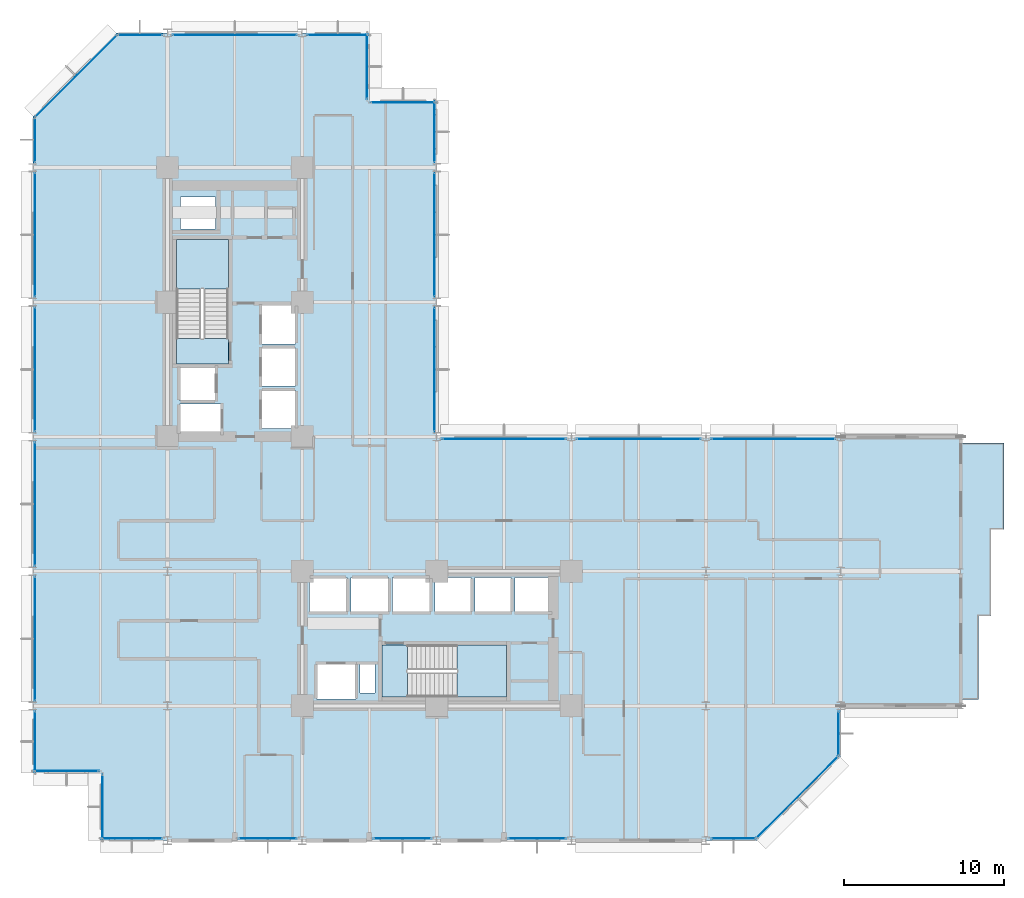
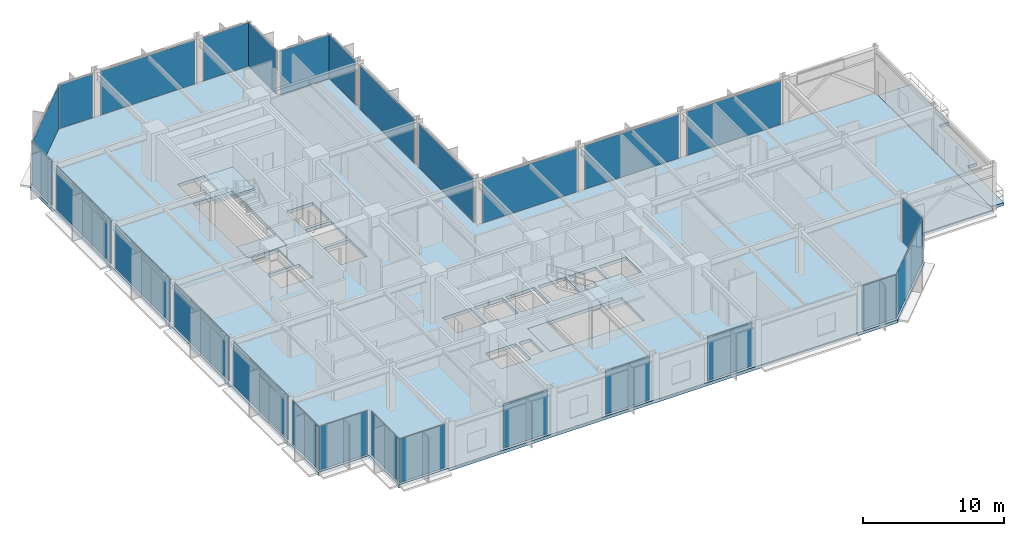
# One storey, part 21 of 30: 27 plates, 6 slabs, 29 elements without a shape of their own.
"""IFC4 building model written with IfcOpenShell, lengths in metres."""

from ifc_helpers import new_model, si_unit, direction, frame, origin, origin_2d, place, context, subcontext, project, spatial, polyline, rectangle, outline, extrude, material, layer, layer_set, type_object, element, aggregate, save


model = new_model("IFC4")

# Units and contexts
model_context = context("Model", 3, precision=1e-05, world=origin(), true_north=direction((0.0, 1.0)))
body_context = subcontext(model_context, "Body", "Model", "MODEL_VIEW")
ifc_project = project(units=[si_unit("LENGTHUNIT", "METRE"), si_unit("AREAUNIT", "SQUARE_METRE"), si_unit("VOLUMEUNIT", "CUBIC_METRE"), si_unit("PLANEANGLEUNIT", "RADIAN"), si_unit("MASSUNIT", "GRAM", prefix="KILO")], contexts=[model_context])

# Site, building, storey
site_placement = place(None, origin())
site = spatial("IfcSite", under=ifc_project, at=site_placement, CompositionType="ELEMENT")
building_placement = place(site_placement, origin())
building = spatial("IfcBuilding", under=site, at=building_placement, Name="Nerrivon Quay Data Exchange", CompositionType="ELEMENT")
storey_placement = place(building_placement, frame((0.0, 0.0, 62.60009765625)))
storey = spatial("IfcBuildingStorey", under=building, at=storey_placement, Name="L14", CompositionType="ELEMENT", Elevation=62.60009765625)

# Curtain wall, plate
ifc_material_1 = material(Name="Anodised aluminium 6063-T6", Category="aluminium")
ifc_layer_1 = layer(ifc_material_1, 0.219970703125)
ifc_layer_set_1 = layer_set([ifc_layer_1], Name="Anodised aluminium 6063-T6")
curtain_wall_type = type_object("IfcCurtainWallType", Name="CW-SYS-01", PredefinedType="NOTDEFINED", material=ifc_layer_set_1)
curtain_wall_1_placement = place(storey_placement, origin())
curtain_wall_1 = element("IfcCurtainWall", 1, at=curtain_wall_1_placement, inside=storey, type_object=curtain_wall_type, Name="L14 Unitised Curtain Wall 4", PredefinedType="NOTDEFINED")
ifc_material_2 = material(Name="Double-glazed low-E solar control glass", Category="glass")
ifc_layer_2 = layer(ifc_material_2, 0.028076171875)
ifc_layer_set_2 = layer_set([ifc_layer_2], Name="Double-glazed low-E solar control glass")
plate_type = type_object("IfcPlateType", Name="CWP-GLZ-28", PredefinedType="CURTAIN_PANEL", material=ifc_layer_set_2)
plate_1_placement = place(storey_placement, frame((50.260009765625, 6.675048828125, 0.06494140625), z_axis=(0.0, 0.0, 1.0), x_axis=(0.0, -1.0, 0.0)))
plate_1 = element("IfcPlate", 2, at=plate_1_placement, type_object=plate_type, Name="CW01 panel 1.1", PredefinedType="CURTAIN_PANEL", context=body_context, shape_type="SweptSolid", body=[
    extrude(rectangle(XDim=2.800048828125, YDim=0.028076171875, at=origin_2d()), origin(), (0.0, 0.0, 1.0), 3.794921875),
])
aggregate(curtain_wall_1, [plate_1])

curtain_wall_2_placement = place(storey_placement, origin())
curtain_wall_2 = element("IfcCurtainWall", 3, at=curtain_wall_2_placement, inside=storey, type_object=curtain_wall_type, Name="L14 Unitised Curtain Wall 5", PredefinedType="NOTDEFINED")
plate_2_placement = place(storey_placement, frame((47.700927734375, 2.698974609375, 0.06494140625), z_axis=(0.0, 0.0, 1.0), x_axis=(-0.707106781187, -0.707106781187, 0.0)))
plate_2 = element("IfcPlate", 4, at=plate_2_placement, type_object=plate_type, Name="CW01 panel 1.1", PredefinedType="CURTAIN_PANEL", context=body_context, shape_type="SweptSolid", body=[
    extrude(rectangle(XDim=7.203857421875, YDim=0.028076171875, at=origin_2d()), origin(), (0.0, 0.0, 1.0), 3.794921875),
])
aggregate(curtain_wall_2, [plate_2])

curtain_wall_3_placement = place(storey_placement, origin())
curtain_wall_3 = element("IfcCurtainWall", 5, at=curtain_wall_3_placement, inside=storey, type_object=curtain_wall_type, Name="L14 Unitised Curtain Wall 6", PredefinedType="NOTDEFINED")
plate_3_placement = place(storey_placement, frame((43.72509765625, 0.139892578125, 0.06494140625), z_axis=(0.0, 0.0, 1.0), x_axis=(-1.0, 0.0, 0.0)))
plate_3 = element("IfcPlate", 6, at=plate_3_placement, type_object=plate_type, Name="CW01 panel 1.1", PredefinedType="CURTAIN_PANEL", context=body_context, shape_type="SweptSolid", body=[
    extrude(rectangle(XDim=2.800048828125, YDim=0.028076171875, at=origin_2d()), origin(), (0.0, 0.0, 1.0), 3.794921875),
])
aggregate(curtain_wall_3, [plate_3])

curtain_wall_4_placement = place(storey_placement, origin())
curtain_wall_4 = element("IfcCurtainWall", 7, at=curtain_wall_4_placement, inside=storey, type_object=curtain_wall_type, Name="L14 Unitised Curtain Wall 8", PredefinedType="NOTDEFINED")
plate_4_placement = place(storey_placement, frame((31.46240234375, 0.139892578125, 0.06494140625), z_axis=(0.0, 0.0, 1.0), x_axis=(-1.0, 0.0, 0.0)))
plate_4 = element("IfcPlate", 8, at=plate_4_placement, type_object=plate_type, Name="CW01 panel 1.1", PredefinedType="CURTAIN_PANEL", context=body_context, shape_type="SweptSolid", body=[
    extrude(rectangle(XDim=3.625, YDim=0.028076171875, at=origin_2d()), origin(), (0.0, 0.0, 1.0), 3.794921875),
])
aggregate(curtain_wall_4, [plate_4])

curtain_wall_5_placement = place(storey_placement, origin())
curtain_wall_5 = element("IfcCurtainWall", 9, at=curtain_wall_5_placement, inside=storey, type_object=curtain_wall_type, Name="L14 Unitised Curtain Wall 10", PredefinedType="NOTDEFINED")
plate_5_placement = place(storey_placement, frame((23.0625, 0.139892578125, 0.06494140625), z_axis=(0.0, 0.0, 1.0), x_axis=(-1.0, 0.0, 0.0)))
plate_5 = element("IfcPlate", 10, at=plate_5_placement, type_object=plate_type, Name="CW01 panel 1.1", PredefinedType="CURTAIN_PANEL", context=body_context, shape_type="SweptSolid", body=[
    extrude(rectangle(XDim=3.625, YDim=0.028076171875, at=origin_2d()), origin(), (0.0, 0.0, 1.0), 3.794921875),
])
aggregate(curtain_wall_5, [plate_5])

curtain_wall_6_placement = place(storey_placement, origin())
curtain_wall_6 = element("IfcCurtainWall", 11, at=curtain_wall_6_placement, inside=storey, type_object=curtain_wall_type, Name="L14 Unitised Curtain Wall 12", PredefinedType="NOTDEFINED")
plate_6_placement = place(storey_placement, frame((14.66259765625, 0.139892578125, 0.06494140625), z_axis=(0.0, 0.0, 1.0), x_axis=(-1.0, 0.0, 0.0)))
plate_6 = element("IfcPlate", 12, at=plate_6_placement, type_object=plate_type, Name="CW01 panel 1.1", PredefinedType="CURTAIN_PANEL", context=body_context, shape_type="SweptSolid", body=[
    extrude(rectangle(XDim=3.625, YDim=0.028076171875, at=origin_2d()), origin(), (0.0, 0.0, 1.0), 3.794921875),
])
aggregate(curtain_wall_6, [plate_6])

curtain_wall_7_placement = place(storey_placement, origin())
curtain_wall_7 = element("IfcCurtainWall", 13, at=curtain_wall_7_placement, inside=storey, type_object=curtain_wall_type, Name="L14 Unitised Curtain Wall 14", PredefinedType="NOTDEFINED")
plate_7_placement = place(storey_placement, frame((6.175048828125, 0.139892578125, 0.06494140625), z_axis=(0.0, 0.0, 1.0), x_axis=(-1.0, 0.0, 0.0)))
plate_7 = element("IfcPlate", 14, at=plate_7_placement, type_object=plate_type, Name="CW01 panel 1.1", PredefinedType="CURTAIN_PANEL", context=body_context, shape_type="SweptSolid", body=[
    extrude(rectangle(XDim=3.800048828125, YDim=0.028076171875, at=origin_2d()), origin(), (0.0, 0.0, 1.0), 3.794921875),
])
aggregate(curtain_wall_7, [plate_7])

curtain_wall_8_placement = place(storey_placement, origin())
curtain_wall_8 = element("IfcCurtainWall", 15, at=curtain_wall_8_placement, inside=storey, type_object=curtain_wall_type, Name="L14 Unitised Curtain Wall 15", PredefinedType="NOTDEFINED")
plate_8_placement = place(storey_placement, frame((4.340087890625, 2.10009765625, 0.06494140625), z_axis=(0.0, 0.0, 1.0), x_axis=(0.0, 1.0, 0.0)))
plate_8 = element("IfcPlate", 16, at=plate_8_placement, type_object=plate_type, Name="CW01 panel 1.1", PredefinedType="CURTAIN_PANEL", context=body_context, shape_type="SweptSolid", body=[
    extrude(rectangle(XDim=4.050048828125, YDim=0.028076171875, at=origin_2d()), origin(), (0.0, 0.0, 1.0), 3.794921875),
])
aggregate(curtain_wall_8, [plate_8])

curtain_wall_9_placement = place(storey_placement, origin())
curtain_wall_9 = element("IfcCurtainWall", 17, at=curtain_wall_9_placement, inside=storey, type_object=curtain_wall_type, Name="L14 Unitised Curtain Wall 16", PredefinedType="NOTDEFINED")
plate_9_placement = place(storey_placement, frame((2.10009765625, 4.340087890625, 0.06494140625), z_axis=(0.0, 0.0, 1.0), x_axis=(-1.0, 0.0, 0.0)))
plate_9 = element("IfcPlate", 18, at=plate_9_placement, type_object=plate_type, Name="CW01 panel 1.1", PredefinedType="CURTAIN_PANEL", context=body_context, shape_type="SweptSolid", body=[
    extrude(rectangle(XDim=4.050048828125, YDim=0.028076171875, at=origin_2d()), origin(), (0.0, 0.0, 1.0), 3.794921875),
])
aggregate(curtain_wall_9, [plate_9])

curtain_wall_10_placement = place(storey_placement, origin())
curtain_wall_10 = element("IfcCurtainWall", 19, at=curtain_wall_10_placement, inside=storey, type_object=curtain_wall_type, Name="L14 Unitised Curtain Wall 17", PredefinedType="NOTDEFINED")
plate_10_placement = place(storey_placement, frame((0.139892578125, 6.175048828125, 0.06494140625), z_axis=(0.0, 0.0, 1.0), x_axis=(0.0, 1.0, 0.0)))
plate_10 = element("IfcPlate", 20, at=plate_10_placement, type_object=plate_type, Name="CW01 panel 1.1", PredefinedType="CURTAIN_PANEL", context=body_context, shape_type="SweptSolid", body=[
    extrude(rectangle(XDim=3.800048828125, YDim=0.028076171875, at=origin_2d()), origin(), (0.0, 0.0, 1.0), 3.794921875),
])
aggregate(curtain_wall_10, [plate_10])

curtain_wall_11_placement = place(storey_placement, origin())
curtain_wall_11 = element("IfcCurtainWall", 21, at=curtain_wall_11_placement, inside=storey, type_object=curtain_wall_type, Name="L14 Unitised Curtain Wall 18", PredefinedType="NOTDEFINED")
plate_11_placement = place(storey_placement, frame((0.139892578125, 12.60009765625, 0.06494140625), z_axis=(0.0, 0.0, 1.0), x_axis=(0.0, 1.0, 0.0)))
plate_11 = element("IfcPlate", 22, at=plate_11_placement, type_object=plate_type, Name="CW01 panel 1.1", PredefinedType="CURTAIN_PANEL", context=body_context, shape_type="SweptSolid", body=[
    extrude(rectangle(XDim=7.75, YDim=0.028076171875, at=origin_2d()), origin(), (0.0, 0.0, 1.0), 3.794921875),
])
aggregate(curtain_wall_11, [plate_11])

curtain_wall_12_placement = place(storey_placement, origin())
curtain_wall_12 = element("IfcCurtainWall", 23, at=curtain_wall_12_placement, inside=storey, type_object=curtain_wall_type, Name="L14 Unitised Curtain Wall 19", PredefinedType="NOTDEFINED")
plate_12_placement = place(storey_placement, frame((0.139892578125, 21.0, 0.06494140625), z_axis=(0.0, 0.0, 1.0), x_axis=(0.0, 1.0, 0.0)))
plate_12 = element("IfcPlate", 24, at=plate_12_placement, type_object=plate_type, Name="CW01 panel 1.1", PredefinedType="CURTAIN_PANEL", context=body_context, shape_type="SweptSolid", body=[
    extrude(rectangle(XDim=7.75, YDim=0.028076171875, at=origin_2d()), origin(), (0.0, 0.0, 1.0), 3.794921875),
])
aggregate(curtain_wall_12, [plate_12])

curtain_wall_13_placement = place(storey_placement, origin())
curtain_wall_13 = element("IfcCurtainWall", 25, at=curtain_wall_13_placement, inside=storey, type_object=curtain_wall_type, Name="L14 Unitised Curtain Wall 20", PredefinedType="NOTDEFINED")
plate_13_placement = place(storey_placement, frame((0.139892578125, 29.39990234375, 0.06494140625), z_axis=(0.0, 0.0, 1.0), x_axis=(0.0, 1.0, 0.0)))
plate_13 = element("IfcPlate", 26, at=plate_13_placement, type_object=plate_type, Name="CW01 panel 1.1", PredefinedType="CURTAIN_PANEL", context=body_context, shape_type="SweptSolid", body=[
    extrude(rectangle(XDim=7.75, YDim=0.028076171875, at=origin_2d()), origin(), (0.0, 0.0, 1.0), 3.794921875),
])
aggregate(curtain_wall_13, [plate_13])

curtain_wall_14_placement = place(storey_placement, origin())
curtain_wall_14 = element("IfcCurtainWall", 27, at=curtain_wall_14_placement, inside=storey, type_object=curtain_wall_type, Name="L14 Unitised Curtain Wall 21", PredefinedType="NOTDEFINED")
plate_14_placement = place(storey_placement, frame((0.139892578125, 37.800048828125, 0.06494140625), z_axis=(0.0, 0.0, 1.0), x_axis=(0.0, 1.0, 0.0)))
plate_14 = element("IfcPlate", 28, at=plate_14_placement, type_object=plate_type, Name="CW01 panel 1.1", PredefinedType="CURTAIN_PANEL", context=body_context, shape_type="SweptSolid", body=[
    extrude(rectangle(XDim=7.75, YDim=0.028076171875, at=origin_2d()), origin(), (0.0, 0.0, 1.0), 3.794921875),
])
aggregate(curtain_wall_14, [plate_14])

curtain_wall_15_placement = place(storey_placement, origin())
curtain_wall_15 = element("IfcCurtainWall", 29, at=curtain_wall_15_placement, inside=storey, type_object=curtain_wall_type, Name="L14 Unitised Curtain Wall 22", PredefinedType="NOTDEFINED")
plate_15_placement = place(storey_placement, frame((0.139892578125, 43.72509765625, 0.06494140625), z_axis=(0.0, 0.0, 1.0), x_axis=(0.0, 1.0, 0.0)))
plate_15 = element("IfcPlate", 30, at=plate_15_placement, type_object=plate_type, Name="CW01 panel 1.1", PredefinedType="CURTAIN_PANEL", context=body_context, shape_type="SweptSolid", body=[
    extrude(rectangle(XDim=2.800048828125, YDim=0.028076171875, at=origin_2d()), origin(), (0.0, 0.0, 1.0), 3.794921875),
])
aggregate(curtain_wall_15, [plate_15])

curtain_wall_16_placement = place(storey_placement, origin())
curtain_wall_16 = element("IfcCurtainWall", 31, at=curtain_wall_16_placement, inside=storey, type_object=curtain_wall_type, Name="L14 Unitised Curtain Wall 23", PredefinedType="NOTDEFINED")
plate_16_placement = place(storey_placement, frame((2.698974609375, 47.700927734375, 0.06494140625), z_axis=(0.0, 0.0, 1.0), x_axis=(0.707106781187, 0.707106781187, 0.0)))
plate_16 = element("IfcPlate", 32, at=plate_16_placement, type_object=plate_type, Name="CW01 panel 1.1", PredefinedType="CURTAIN_PANEL", context=body_context, shape_type="SweptSolid", body=[
    extrude(rectangle(XDim=7.203857421875, YDim=0.028076171875, at=origin_2d()), origin(), (0.0, 0.0, 1.0), 3.794921875),
])
aggregate(curtain_wall_16, [plate_16])

curtain_wall_17_placement = place(storey_placement, origin())
curtain_wall_17 = element("IfcCurtainWall", 33, at=curtain_wall_17_placement, inside=storey, type_object=curtain_wall_type, Name="L14 Unitised Curtain Wall 24", PredefinedType="NOTDEFINED")
plate_17_placement = place(storey_placement, frame((6.675048828125, 50.260009765625, 0.06494140625), z_axis=(0.0, 0.0, 1.0), x_axis=(1.0, 0.0, 0.0)))
plate_17 = element("IfcPlate", 34, at=plate_17_placement, type_object=plate_type, Name="CW01 panel 1.1", PredefinedType="CURTAIN_PANEL", context=body_context, shape_type="SweptSolid", body=[
    extrude(rectangle(XDim=2.800048828125, YDim=0.028076171875, at=origin_2d()), origin(), (0.0, 0.0, 1.0), 3.794921875),
])
aggregate(curtain_wall_17, [plate_17])

curtain_wall_18_placement = place(storey_placement, origin())
curtain_wall_18 = element("IfcCurtainWall", 35, at=curtain_wall_18_placement, inside=storey, type_object=curtain_wall_type, Name="L14 Unitised Curtain Wall 25", PredefinedType="NOTDEFINED")
plate_18_placement = place(storey_placement, frame((12.60009765625, 50.260009765625, 0.06494140625), z_axis=(0.0, 0.0, 1.0), x_axis=(1.0, 0.0, 0.0)))
plate_18 = element("IfcPlate", 36, at=plate_18_placement, type_object=plate_type, Name="CW01 panel 1.1", PredefinedType="CURTAIN_PANEL", context=body_context, shape_type="SweptSolid", body=[
    extrude(rectangle(XDim=7.75, YDim=0.028076171875, at=origin_2d()), origin(), (0.0, 0.0, 1.0), 3.794921875),
])
aggregate(curtain_wall_18, [plate_18])

curtain_wall_19_placement = place(storey_placement, origin())
curtain_wall_19 = element("IfcCurtainWall", 37, at=curtain_wall_19_placement, inside=storey, type_object=curtain_wall_type, Name="L14 Unitised Curtain Wall 26", PredefinedType="NOTDEFINED")
plate_19_placement = place(storey_placement, frame((19.02490234375, 50.260009765625, 0.06494140625), z_axis=(0.0, 0.0, 1.0), x_axis=(1.0, 0.0, 0.0)))
plate_19 = element("IfcPlate", 38, at=plate_19_placement, type_object=plate_type, Name="CW01 panel 1.1", PredefinedType="CURTAIN_PANEL", context=body_context, shape_type="SweptSolid", body=[
    extrude(rectangle(XDim=3.800048828125, YDim=0.028076171875, at=origin_2d()), origin(), (0.0, 0.0, 1.0), 3.794921875),
])
aggregate(curtain_wall_19, [plate_19])

curtain_wall_20_placement = place(storey_placement, origin())
curtain_wall_20 = element("IfcCurtainWall", 39, at=curtain_wall_20_placement, inside=storey, type_object=curtain_wall_type, Name="L14 Unitised Curtain Wall 27", PredefinedType="NOTDEFINED")
plate_20_placement = place(storey_placement, frame((20.860107421875, 48.300048828125, 0.06494140625), z_axis=(0.0, 0.0, 1.0), x_axis=(0.0, -1.0, 0.0)))
plate_20 = element("IfcPlate", 40, at=plate_20_placement, type_object=plate_type, Name="CW01 panel 1.1", PredefinedType="CURTAIN_PANEL", context=body_context, shape_type="SweptSolid", body=[
    extrude(rectangle(XDim=4.050048828125, YDim=0.028076171875, at=origin_2d()), origin(), (0.0, 0.0, 1.0), 3.794921875),
])
aggregate(curtain_wall_20, [plate_20])

curtain_wall_21_placement = place(storey_placement, origin())
curtain_wall_21 = element("IfcCurtainWall", 41, at=curtain_wall_21_placement, inside=storey, type_object=curtain_wall_type, Name="L14 Unitised Curtain Wall 28", PredefinedType="NOTDEFINED")
plate_21_placement = place(storey_placement, frame((23.10009765625, 46.06005859375, 0.06494140625), z_axis=(0.0, 0.0, 1.0), x_axis=(1.0, 0.0, 0.0)))
plate_21 = element("IfcPlate", 42, at=plate_21_placement, type_object=plate_type, Name="CW01 panel 1.1", PredefinedType="CURTAIN_PANEL", context=body_context, shape_type="SweptSolid", body=[
    extrude(rectangle(XDim=4.050048828125, YDim=0.028076171875, at=origin_2d()), origin(), (0.0, 0.0, 1.0), 3.794921875),
])
aggregate(curtain_wall_21, [plate_21])

curtain_wall_22_placement = place(storey_placement, origin())
curtain_wall_22 = element("IfcCurtainWall", 43, at=curtain_wall_22_placement, inside=storey, type_object=curtain_wall_type, Name="L14 Unitised Curtain Wall 29", PredefinedType="NOTDEFINED")
plate_22_placement = place(storey_placement, frame((25.06005859375, 44.22509765625, 0.06494140625), z_axis=(0.0, 0.0, 1.0), x_axis=(0.0, -1.0, 0.0)))
plate_22 = element("IfcPlate", 44, at=plate_22_placement, type_object=plate_type, Name="CW01 panel 1.1", PredefinedType="CURTAIN_PANEL", context=body_context, shape_type="SweptSolid", body=[
    extrude(rectangle(XDim=3.800048828125, YDim=0.028076171875, at=origin_2d()), origin(), (0.0, 0.0, 1.0), 3.794921875),
])
aggregate(curtain_wall_22, [plate_22])

curtain_wall_23_placement = place(storey_placement, origin())
curtain_wall_23 = element("IfcCurtainWall", 45, at=curtain_wall_23_placement, inside=storey, type_object=curtain_wall_type, Name="L14 Unitised Curtain Wall 30", PredefinedType="NOTDEFINED")
plate_23_placement = place(storey_placement, frame((25.06005859375, 37.800048828125, 0.06494140625), z_axis=(0.0, 0.0, 1.0), x_axis=(0.0, -1.0, 0.0)))
plate_23 = element("IfcPlate", 46, at=plate_23_placement, type_object=plate_type, Name="CW01 panel 1.1", PredefinedType="CURTAIN_PANEL", context=body_context, shape_type="SweptSolid", body=[
    extrude(rectangle(XDim=7.75, YDim=0.028076171875, at=origin_2d()), origin(), (0.0, 0.0, 1.0), 3.794921875),
])
aggregate(curtain_wall_23, [plate_23])

curtain_wall_24_placement = place(storey_placement, origin())
curtain_wall_24 = element("IfcCurtainWall", 47, at=curtain_wall_24_placement, inside=storey, type_object=curtain_wall_type, Name="L14 Unitised Curtain Wall 31", PredefinedType="NOTDEFINED")
plate_24_placement = place(storey_placement, frame((25.06005859375, 29.39990234375, 0.06494140625), z_axis=(0.0, 0.0, 1.0), x_axis=(0.0, -1.0, 0.0)))
plate_24 = element("IfcPlate", 48, at=plate_24_placement, type_object=plate_type, Name="CW01 panel 1.1", PredefinedType="CURTAIN_PANEL", context=body_context, shape_type="SweptSolid", body=[
    extrude(rectangle(XDim=7.75, YDim=0.028076171875, at=origin_2d()), origin(), (0.0, 0.0, 1.0), 3.794921875),
])
aggregate(curtain_wall_24, [plate_24])

curtain_wall_25_placement = place(storey_placement, origin())
curtain_wall_25 = element("IfcCurtainWall", 49, at=curtain_wall_25_placement, inside=storey, type_object=curtain_wall_type, Name="L14 Unitised Curtain Wall 32", PredefinedType="NOTDEFINED")
plate_25_placement = place(storey_placement, frame((29.39990234375, 25.06005859375, 0.06494140625), z_axis=(0.0, 0.0, 1.0), x_axis=(1.0, 0.0, 0.0)))
plate_25 = element("IfcPlate", 50, at=plate_25_placement, type_object=plate_type, Name="CW01 panel 1.1", PredefinedType="CURTAIN_PANEL", context=body_context, shape_type="SweptSolid", body=[
    extrude(rectangle(XDim=7.75, YDim=0.028076171875, at=origin_2d()), origin(), (0.0, 0.0, 1.0), 3.794921875),
])
aggregate(curtain_wall_25, [plate_25])

curtain_wall_26_placement = place(storey_placement, origin())
curtain_wall_26 = element("IfcCurtainWall", 51, at=curtain_wall_26_placement, inside=storey, type_object=curtain_wall_type, Name="L14 Unitised Curtain Wall 33", PredefinedType="NOTDEFINED")
plate_26_placement = place(storey_placement, frame((37.800048828125, 25.06005859375, 0.06494140625), z_axis=(0.0, 0.0, 1.0), x_axis=(1.0, 0.0, 0.0)))
plate_26 = element("IfcPlate", 52, at=plate_26_placement, type_object=plate_type, Name="CW01 panel 1.1", PredefinedType="CURTAIN_PANEL", context=body_context, shape_type="SweptSolid", body=[
    extrude(rectangle(XDim=7.75, YDim=0.028076171875, at=origin_2d()), origin(), (0.0, 0.0, 1.0), 3.794921875),
])
aggregate(curtain_wall_26, [plate_26])

curtain_wall_27_placement = place(storey_placement, origin())
curtain_wall_27 = element("IfcCurtainWall", 53, at=curtain_wall_27_placement, inside=storey, type_object=curtain_wall_type, Name="L14 Unitised Curtain Wall 34", PredefinedType="NOTDEFINED")
plate_27_placement = place(storey_placement, frame((46.199951171875, 25.06005859375, 0.06494140625), z_axis=(0.0, 0.0, 1.0), x_axis=(1.0, 0.0, 0.0)))
plate_27 = element("IfcPlate", 54, at=plate_27_placement, type_object=plate_type, Name="CW01 panel 1.1", PredefinedType="CURTAIN_PANEL", context=body_context, shape_type="SweptSolid", body=[
    extrude(rectangle(XDim=7.75, YDim=0.028076171875, at=origin_2d()), origin(), (0.0, 0.0, 1.0), 3.794921875),
])
aggregate(curtain_wall_27, [plate_27])

# Slab
ifc_material_3 = material(Name="Precast white architectural concrete N50 (50 MPa)", Category="concrete")
ifc_layer_3 = layer(ifc_material_3, 0.25)
ifc_layer_set_3 = layer_set([ifc_layer_3], Name="Precast white architectural concrete N50 (50 MPa)")
slab_type_1 = type_object("IfcSlabType", Name="SLB-BAL-250", PredefinedType="FLOOR", material=ifc_layer_set_3)
slab_1_placement = place(storey_placement, frame((0.0, 0.0, -0.25)))
element("IfcSlab", 55, at=slab_1_placement, inside=storey, type_object=slab_type_1, Name="L14 East Hooked Drifting Verandah", PredefinedType="FLOOR", context=body_context, shape_type="SweptSolid", body=[
    extrude(outline(polyline([(59.0, 14.0), (59.800048828125, 14.0), (59.800048828125, 19.39990234375), (60.60009765625, 19.39990234375), (60.60009765625, 24.800048828125), (57.89990234375, 24.800048828125), (57.89990234375, 19.39990234375), (57.89990234375, 14.0), (57.89990234375, 8.800048828125), (59.0, 8.800048828125), (59.0, 14.0)])), origin(), (0.0, 0.0, 1.0), 0.25),
])

# Stair, slab
ifc_material_4 = material(Name="Concrete N50 (50 MPa)", Category="concrete")
stair_type = type_object("IfcStairType", Name="STAIR-DOG-42", PredefinedType="HALF_TURN_STAIR", material=ifc_material_4)
stair_1_placement = place(storey_placement, origin())
stair_1 = element("IfcStair", 56, at=stair_1_placement, inside=storey, type_object=stair_type, Name="L14 West Core Fire Stair ST01", PredefinedType="HALF_TURN_STAIR")
ifc_layer_4 = layer(ifc_material_4, 0.199951171875)
ifc_layer_set_4 = layer_set([ifc_layer_4], Name="Concrete N50 (50 MPa)")
slab_type_2 = type_object("IfcSlabType", Name="SLB-LAND-200", PredefinedType="LANDING", material=ifc_layer_set_4)
slab_2_placement = place(storey_placement, frame((0.0, 0.0, 1.89990234375)))
slab_2 = element("IfcSlab", 57, at=slab_2_placement, type_object=slab_type_2, Name="ST01 landing 1", PredefinedType="LANDING", context=body_context, shape_type="SweptSolid", body=[
    extrude(outline(polyline([(12.199951171875, 34.409912109375), (12.199951171875, 37.5), (8.949951171875, 37.5), (8.949951171875, 34.409912109375), (12.199951171875, 34.409912109375)])), origin(), (0.0, 0.0, 1.0), 0.199951171875),
])
aggregate(stair_1, [slab_2])

# Slab
slab_3_placement = place(storey_placement, frame((0.0, 0.0, -0.2001953125)))
element("IfcSlab", 58, at=slab_3_placement, inside=storey, type_object=slab_type_2, Name="L14 ST01 floor landing", PredefinedType="LANDING", context=body_context, shape_type="SweptSolid", body=[
    extrude(outline(polyline([(12.199951171875, 29.75), (12.199951171875, 31.330078125), (8.949951171875, 31.330078125), (8.949951171875, 29.75), (12.199951171875, 29.75)])), origin(), (0.0, 0.0, 1.0), 0.2001953125),
])

# Stair, slab
stair_2_placement = place(storey_placement, origin())
stair_2 = element("IfcStair", 59, at=stair_2_placement, inside=storey, type_object=stair_type, Name="L14 East Core Fire Stair ST02", PredefinedType="HALF_TURN_STAIR")
slab_4_placement = place(storey_placement, frame((0.0, 0.0, 1.89990234375)))
slab_4 = element("IfcSlab", 60, at=slab_4_placement, type_object=slab_type_2, Name="ST02 landing 1", PredefinedType="LANDING", context=body_context, shape_type="SweptSolid", body=[
    extrude(outline(polyline([(26.4599609375, 8.949951171875), (29.550048828125, 8.949951171875), (29.550048828125, 12.199951171875), (26.4599609375, 12.199951171875), (26.4599609375, 8.949951171875)])), origin(), (0.0, 0.0, 1.0), 0.199951171875),
])
aggregate(stair_2, [slab_4])

# Slabs
slab_5_placement = place(storey_placement, frame((0.0, 0.0, -0.2001953125)))
element("IfcSlab", 61, at=slab_5_placement, inside=storey, type_object=slab_type_2, Name="L14 ST02 floor landing", PredefinedType="LANDING", context=body_context, shape_type="SweptSolid", body=[
    extrude(outline(polyline([(21.800048828125, 8.949951171875), (23.3798828125, 8.949951171875), (23.3798828125, 12.199951171875), (21.800048828125, 12.199951171875), (21.800048828125, 8.949951171875)])), origin(), (0.0, 0.0, 1.0), 0.2001953125),
])
ifc_layer_5 = layer(ifc_material_4, 0.27490234375)
ifc_layer_set_5 = layer_set([ifc_layer_5], Name="Concrete N50 (50 MPa)")
slab_type_3 = type_object("IfcSlabType", Name="SLB-TOW-275", PredefinedType="FLOOR", material=ifc_layer_set_5)
slab_6_placement = place(storey_placement, frame((0.0, 0.0, -0.275146484375)))
element("IfcSlab", 62, at=slab_6_placement, inside=storey, type_object=slab_type_3, Name="L14 Primary Structural Slab", PredefinedType="FLOOR", context=body_context, shape_type="SweptSolid", body=[
    extrude(outline(polyline([(25.199951171875, 25.199951171875), (25.199951171875, 46.199951171875), (21.0, 46.199951171875), (21.0, 50.39990234375), (5.199951171875, 50.39990234375), (0.0, 45.199951171875), (0.0, 4.199951171875), (4.199951171875, 4.199951171875), (4.199951171875, 0.0), (45.199951171875, 0.0), (50.39990234375, 5.199951171875), (50.39990234375, 8.39990234375), (57.89990234375, 8.39990234375), (57.89990234375, 25.199951171875), (25.199951171875, 25.199951171875)]), holes=[polyline([(8.949951171875, 29.75), (8.949951171875, 37.5), (12.199951171875, 37.5), (12.199951171875, 29.75), (8.949951171875, 29.75)]), polyline([(21.800048828125, 12.199951171875), (29.550048828125, 12.199951171875), (29.550048828125, 8.949951171875), (21.800048828125, 8.949951171875), (21.800048828125, 12.199951171875)]), polyline([(30.10009765625, 16.39990234375), (32.35009765625, 16.39990234375), (32.35009765625, 14.25), (30.10009765625, 14.25), (30.10009765625, 16.39990234375)]), polyline([(27.60009765625, 16.39990234375), (29.85009765625, 16.39990234375), (29.85009765625, 14.25), (27.60009765625, 14.25), (27.60009765625, 16.39990234375)]), polyline([(25.10009765625, 16.39990234375), (27.35009765625, 16.39990234375), (27.35009765625, 14.25), (25.10009765625, 14.25), (25.10009765625, 16.39990234375)]), polyline([(22.449951171875, 16.39990234375), (24.800048828125, 16.39990234375), (24.800048828125, 14.25), (22.449951171875, 14.25), (22.449951171875, 16.39990234375)]), polyline([(19.85009765625, 16.39990234375), (22.199951171875, 16.39990234375), (22.199951171875, 14.25), (19.85009765625, 14.25), (19.85009765625, 16.39990234375)]), polyline([(20.39990234375, 11.0), (21.35009765625, 11.0), (21.35009765625, 9.199951171875), (20.39990234375, 9.199951171875), (20.39990234375, 11.0)]), polyline([(17.699951171875, 8.830078125), (17.699951171875, 11.030029296875), (20.14990234375, 11.030029296875), (20.14990234375, 8.830078125), (17.699951171875, 8.830078125)]), polyline([(17.25, 14.25), (17.25, 16.39990234375), (19.60009765625, 16.39990234375), (19.60009765625, 14.25), (17.25, 14.25)]), polyline([(14.25, 28.10009765625), (16.39990234375, 28.10009765625), (16.39990234375, 25.699951171875), (14.25, 25.699951171875), (14.25, 28.10009765625)]), polyline([(14.25, 30.75), (16.39990234375, 30.75), (16.39990234375, 28.35009765625), (14.25, 28.35009765625), (14.25, 30.75)]), polyline([(14.25, 33.39990234375), (16.39990234375, 33.39990234375), (16.39990234375, 31.0), (14.25, 31.0), (14.25, 33.39990234375)]), polyline([(9.14990234375, 27.25), (11.75, 27.25), (11.75, 25.35009765625), (9.14990234375, 25.35009765625), (9.14990234375, 27.25)]), polyline([(9.14990234375, 29.60009765625), (11.39990234375, 29.60009765625), (11.39990234375, 27.449951171875), (9.14990234375, 27.449951171875), (9.14990234375, 29.60009765625)]), polyline([(9.199951171875, 40.14990234375), (11.39990234375, 40.14990234375), (11.39990234375, 38.14990234375), (9.199951171875, 38.14990234375), (9.199951171875, 40.14990234375)])]), origin(), (0.0, 0.0, 1.0), 0.275146484375),
])

save(model, "model.ifc")
